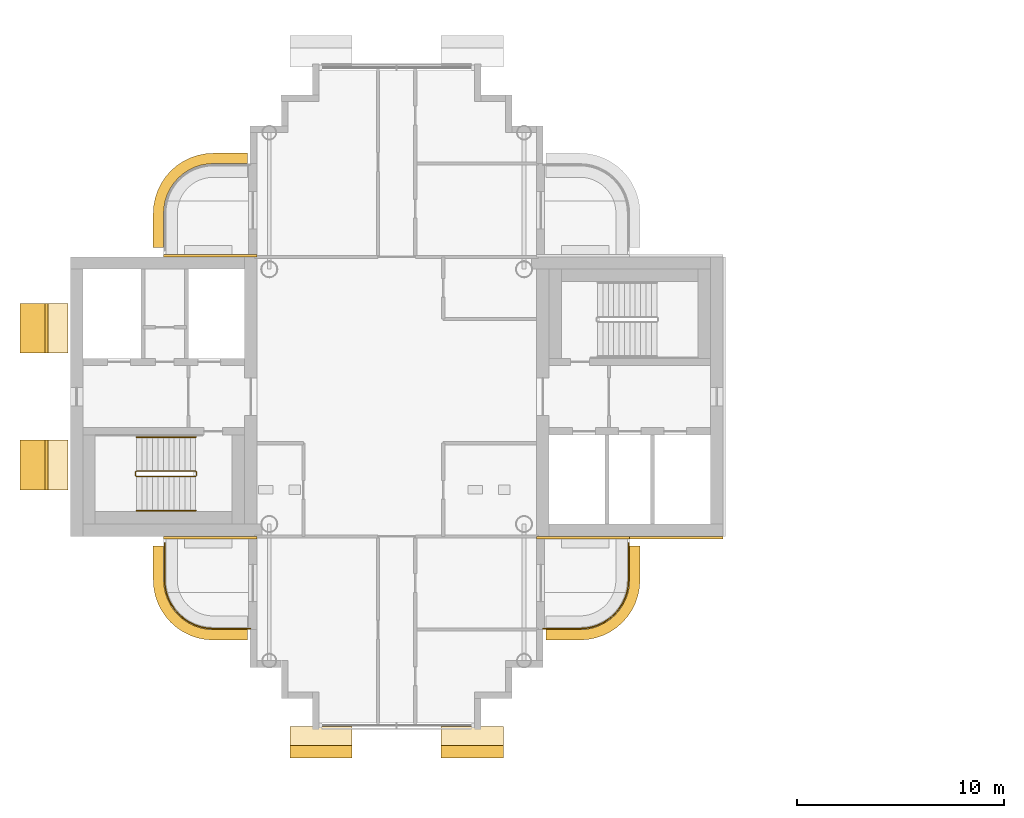
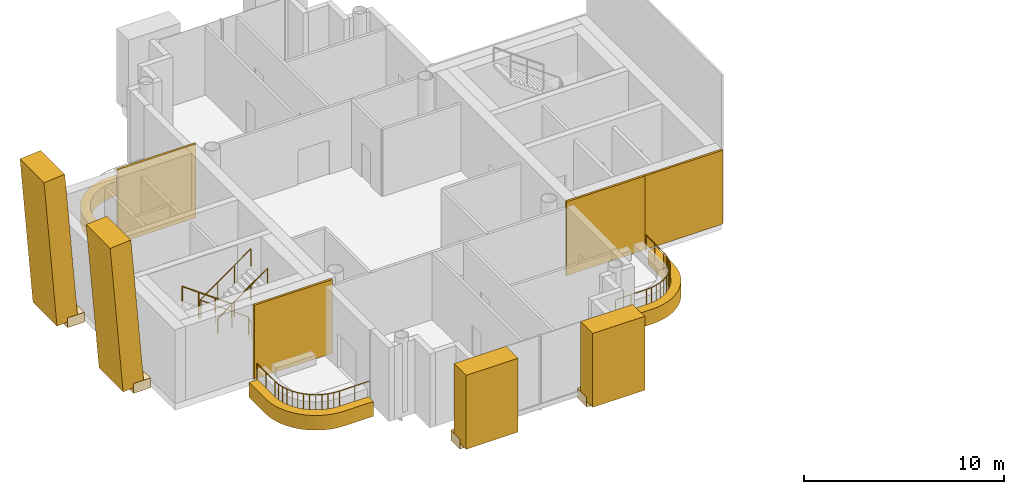
# One storey, part 16 of 20: 15 coverings, 5 railings.
"""IFC4 building model written with IfcOpenShell, lengths in metres."""

from ifc_helpers import new_model, si_unit, direction, frame, origin, origin_2d, place, context, subcontext, project, spatial, polyline, rectangle, circle, outline, extrude, material, layer, layer_set, material_profile, profile_set, type_object, element, save


model = new_model("IFC4")

# Units and contexts
model_context = context("Model", 3, precision=1e-05, world=origin(), true_north=direction((0.0, 1.0)))
body_context = subcontext(model_context, "Body", "Model", "MODEL_VIEW")
ifc_project = project(units=[si_unit("LENGTHUNIT", "METRE"), si_unit("AREAUNIT", "SQUARE_METRE"), si_unit("VOLUMEUNIT", "CUBIC_METRE"), si_unit("PLANEANGLEUNIT", "RADIAN"), si_unit("MASSUNIT", "GRAM", prefix="KILO")], contexts=[model_context])

# Site, building, storey
site_placement = place(None, origin())
site = spatial("IfcSite", under=ifc_project, at=site_placement, CompositionType="ELEMENT")
building_placement = place(site_placement, origin())
building = spatial("IfcBuilding", under=site, at=building_placement, Name="Ipe Terrace Towers", CompositionType="ELEMENT")
storey_placement = place(building_placement, frame((0.0, 0.0, 242.39990234375)))
storey = spatial("IfcBuildingStorey", under=building, at=storey_placement, Name="L67", CompositionType="ELEMENT", Elevation=242.39990234375)

# Railings
ifc_material_1 = material(Name="Stainless steel S316", Category="steel")
railing_type_1 = type_object("IfcRailingType", Name="GUARD 1100", PredefinedType="BALUSTRADE", material=ifc_material_1)
railing_1_placement = place(storey_placement, frame((-47.199951171875, -7.070068359375, -0.02001953125)))
element("IfcRailing", 1, at=railing_1_placement, inside=storey, type_object=railing_type_1, Name="guard", PredefinedType="BALUSTRADE", context=body_context, shape_type="SweptSolid", body=[
    extrude(circle(Radius=0.02392578125, at=origin_2d()), frame((0.0, 0.0, 1.076171875), z_axis=(0.0, -1.0, 0.0), x_axis=(1.0, 0.0, 0.0)), (0.0, 0.0, 1.0), 1.77783203125),
    extrude(circle(Radius=0.02392578125, at=origin_2d()), frame((0.0, -1.77783203125, 1.076171875), z_axis=(0.064635492184, -0.99790894031, 0.0), x_axis=(0.99790894031, 0.064635492184, 0.0)), (0.0, 0.0, 1.0), 0.309814453125),
    extrude(circle(Radius=0.02392578125, at=origin_2d()), frame((0.02001953125, -2.0869140625, 1.076171875), z_axis=(0.194892169718, -0.980824674538, 0.0), x_axis=(0.980824674538, 0.194892169718, 0.0)), (0.0, 0.0, 1.0), 0.306884765625),
    extrude(circle(Radius=0.02392578125, at=origin_2d()), frame((0.079833984375, -2.387939453125, 1.076171875), z_axis=(0.322415209212, -0.946598348228, 0.0), x_axis=(0.946598348228, 0.322415209212, 0.0)), (0.0, 0.0, 1.0), 0.307373046875),
    extrude(circle(Radius=0.02392578125, at=origin_2d()), frame((0.178955078125, -2.678955078125, 1.076171875), z_axis=(0.44212629539, -0.896952807524, 0.0), x_axis=(0.896952807524, 0.44212629539, 0.0)), (0.0, 0.0, 1.0), 0.3076171875),
    extrude(circle(Radius=0.02392578125, at=origin_2d()), frame((0.31494140625, -2.954833984375, 1.076171875), z_axis=(0.555066120228, -0.831806228742, 0.0), x_axis=(0.831806228742, 0.555066120228, 0.0)), (0.0, 0.0, 1.0), 0.307861328125),
    extrude(circle(Radius=0.02392578125, at=origin_2d()), frame((0.48583984375, -3.2109375, 1.076171875), z_axis=(0.658617227954, -0.752478137252, 0.0), x_axis=(0.752478137252, 0.658617227954, 0.0)), (0.0, 0.0, 1.0), 0.306884765625),
    extrude(circle(Radius=0.02392578125, at=origin_2d()), frame((0.68798828125, -3.44189453125, 1.076171875), z_axis=(0.752478137252, -0.658617227954, 0.0), x_axis=(0.658617227954, 0.752478137252, 0.0)), (0.0, 0.0, 1.0), 0.306884765625),
    extrude(circle(Radius=0.02392578125, at=origin_2d()), frame((0.9189453125, -3.64404296875, 1.076171875), z_axis=(0.831806228742, -0.555066120228, 0.0), x_axis=(0.555066120228, 0.831806228742, 0.0)), (0.0, 0.0, 1.0), 0.307861328125),
    extrude(circle(Radius=0.02392578125, at=origin_2d()), frame((1.175048828125, -3.81494140625, 1.076171875), z_axis=(0.896952807524, -0.44212629539, 0.0), x_axis=(0.44212629539, 0.896952807524, 0.0)), (0.0, 0.0, 1.0), 0.3076171875),
    extrude(circle(Radius=0.02392578125, at=origin_2d()), frame((1.450927734375, -3.950927734375, 1.076171875), z_axis=(0.946598348228, -0.322415209212, 0.0), x_axis=(0.322415209212, 0.946598348228, 0.0)), (0.0, 0.0, 1.0), 0.307373046875),
    extrude(circle(Radius=0.02392578125, at=origin_2d()), frame((1.741943359375, -4.050048828125, 1.076171875), z_axis=(0.980824674538, -0.194892169718, 0.0), x_axis=(0.194892169718, 0.980824674538, 0.0)), (0.0, 0.0, 1.0), 0.306884765625),
    extrude(circle(Radius=0.02392578125, at=origin_2d()), frame((2.04296875, -4.10986328125, 1.076171875), z_axis=(0.99790894031, -0.064635492184, 0.0), x_axis=(0.064635492184, 0.99790894031, 0.0)), (0.0, 0.0, 1.0), 0.309814453125),
    extrude(circle(Radius=0.02392578125, at=origin_2d()), frame((2.35205078125, -4.1298828125, 1.076171875), z_axis=(1.0, 0.0, 0.0), x_axis=(0.0, 1.0, 0.0)), (0.0, 0.0, 1.0), 1.77783203125),
    extrude(circle(Radius=0.02099609375, at=origin_2d()), origin(), (0.0, 0.0, 1.0), 1.052001953125),
    extrude(circle(Radius=0.02099609375, at=origin_2d()), frame((0.0, -0.888916015625, 0.0)), (0.0, 0.0, 1.0), 1.052001953125),
    extrude(circle(Radius=0.02099609375, at=origin_2d()), frame((0.0, -1.77783203125, 0.0)), (0.0, 0.0, 1.0), 1.052001953125),
    extrude(circle(Radius=0.02099609375, at=origin_2d()), frame((0.02001953125, -2.0869140625, 0.0)), (0.0, 0.0, 1.0), 1.052001953125),
    extrude(circle(Radius=0.02099609375, at=origin_2d()), frame((0.079833984375, -2.387939453125, 0.0)), (0.0, 0.0, 1.0), 1.052001953125),
    extrude(circle(Radius=0.02099609375, at=origin_2d()), frame((0.178955078125, -2.678955078125, 0.0)), (0.0, 0.0, 1.0), 1.052001953125),
    extrude(circle(Radius=0.02099609375, at=origin_2d()), frame((0.31494140625, -2.954833984375, 0.0)), (0.0, 0.0, 1.0), 1.052001953125),
    extrude(circle(Radius=0.02099609375, at=origin_2d()), frame((0.48583984375, -3.2109375, 0.0)), (0.0, 0.0, 1.0), 1.052001953125),
    extrude(circle(Radius=0.02099609375, at=origin_2d()), frame((0.68798828125, -3.44189453125, 0.0)), (0.0, 0.0, 1.0), 1.052001953125),
    extrude(circle(Radius=0.02099609375, at=origin_2d()), frame((0.9189453125, -3.64404296875, 0.0)), (0.0, 0.0, 1.0), 1.052001953125),
    extrude(circle(Radius=0.02099609375, at=origin_2d()), frame((1.175048828125, -3.81494140625, 0.0)), (0.0, 0.0, 1.0), 1.052001953125),
    extrude(circle(Radius=0.02099609375, at=origin_2d()), frame((1.450927734375, -3.950927734375, 0.0)), (0.0, 0.0, 1.0), 1.052001953125),
    extrude(circle(Radius=0.02099609375, at=origin_2d()), frame((1.741943359375, -4.050048828125, 0.0)), (0.0, 0.0, 1.0), 1.052001953125),
    extrude(circle(Radius=0.02099609375, at=origin_2d()), frame((2.04296875, -4.10986328125, 0.0)), (0.0, 0.0, 1.0), 1.052001953125),
    extrude(circle(Radius=0.02099609375, at=origin_2d()), frame((2.35205078125, -4.1298828125, 0.0)), (0.0, 0.0, 1.0), 1.052001953125),
    extrude(circle(Radius=0.02099609375, at=origin_2d()), frame((3.240966796875, -4.1298828125, 0.0)), (0.0, 0.0, 1.0), 1.052001953125),
    extrude(circle(Radius=0.02099609375, at=origin_2d()), frame((4.1298828125, -4.1298828125, 0.0)), (0.0, 0.0, 1.0), 1.052001953125),
])
railing_2_placement = place(storey_placement, frame((-28.929931640625, -11.199951171875, -0.02001953125)))
element("IfcRailing", 2, at=railing_2_placement, inside=storey, type_object=railing_type_1, Name="guard", PredefinedType="BALUSTRADE", context=body_context, shape_type="SweptSolid", body=[
    extrude(circle(Radius=0.02392578125, at=origin_2d()), frame((0.0, 0.0, 1.076171875), z_axis=(1.0, 0.0, 0.0), x_axis=(0.0, 1.0, 0.0)), (0.0, 0.0, 1.0), 1.77783203125),
    extrude(circle(Radius=0.02392578125, at=origin_2d()), frame((1.77783203125, 0.0, 1.076171875), z_axis=(0.99790894031, 0.064635492184, 0.0), x_axis=(-0.064635492184, 0.99790894031, 0.0)), (0.0, 0.0, 1.0), 0.309814453125),
    extrude(circle(Radius=0.02392578125, at=origin_2d()), frame((2.0869140625, 0.02001953125, 1.076171875), z_axis=(0.980824674538, 0.194892169718, 0.0), x_axis=(-0.194892169718, 0.980824674538, 0.0)), (0.0, 0.0, 1.0), 0.306884765625),
    extrude(circle(Radius=0.02392578125, at=origin_2d()), frame((2.387939453125, 0.079833984375, 1.076171875), z_axis=(0.946598348228, 0.322415209212, 0.0), x_axis=(-0.322415209212, 0.946598348228, 0.0)), (0.0, 0.0, 1.0), 0.307373046875),
    extrude(circle(Radius=0.02392578125, at=origin_2d()), frame((2.678955078125, 0.178955078125, 1.076171875), z_axis=(0.896952807524, 0.44212629539, 0.0), x_axis=(-0.44212629539, 0.896952807524, 0.0)), (0.0, 0.0, 1.0), 0.3076171875),
    extrude(circle(Radius=0.02392578125, at=origin_2d()), frame((2.954833984375, 0.31494140625, 1.076171875), z_axis=(0.831806228742, 0.555066120228, 0.0), x_axis=(-0.555066120228, 0.831806228742, 0.0)), (0.0, 0.0, 1.0), 0.307861328125),
    extrude(circle(Radius=0.02392578125, at=origin_2d()), frame((3.2109375, 0.48583984375, 1.076171875), z_axis=(0.752478137252, 0.658617227954, 0.0), x_axis=(-0.658617227954, 0.752478137252, 0.0)), (0.0, 0.0, 1.0), 0.306884765625),
    extrude(circle(Radius=0.02392578125, at=origin_2d()), frame((3.44189453125, 0.68798828125, 1.076171875), z_axis=(0.658617227954, 0.752478137252, 0.0), x_axis=(-0.752478137252, 0.658617227954, 0.0)), (0.0, 0.0, 1.0), 0.306884765625),
    extrude(circle(Radius=0.02392578125, at=origin_2d()), frame((3.64404296875, 0.9189453125, 1.076171875), z_axis=(0.555066120228, 0.831806228742, 0.0), x_axis=(-0.831806228742, 0.555066120228, 0.0)), (0.0, 0.0, 1.0), 0.307861328125),
    extrude(circle(Radius=0.02392578125, at=origin_2d()), frame((3.81494140625, 1.175048828125, 1.076171875), z_axis=(0.44212629539, 0.896952807524, 0.0), x_axis=(-0.896952807524, 0.44212629539, 0.0)), (0.0, 0.0, 1.0), 0.3076171875),
    extrude(circle(Radius=0.02392578125, at=origin_2d()), frame((3.950927734375, 1.450927734375, 1.076171875), z_axis=(0.322415209212, 0.946598348228, 0.0), x_axis=(-0.946598348228, 0.322415209212, 0.0)), (0.0, 0.0, 1.0), 0.307373046875),
    extrude(circle(Radius=0.02392578125, at=origin_2d()), frame((4.050048828125, 1.741943359375, 1.076171875), z_axis=(0.194892169718, 0.980824674538, 0.0), x_axis=(-0.980824674538, 0.194892169718, 0.0)), (0.0, 0.0, 1.0), 0.306884765625),
    extrude(circle(Radius=0.02392578125, at=origin_2d()), frame((4.10986328125, 2.04296875, 1.076171875), z_axis=(0.064635492184, 0.99790894031, 0.0), x_axis=(-0.99790894031, 0.064635492184, 0.0)), (0.0, 0.0, 1.0), 0.309814453125),
    extrude(circle(Radius=0.02392578125, at=origin_2d()), frame((4.1298828125, 2.35205078125, 1.076171875), z_axis=(0.0, 1.0, 0.0), x_axis=(-1.0, 0.0, 0.0)), (0.0, 0.0, 1.0), 1.77783203125),
    extrude(circle(Radius=0.02099609375, at=origin_2d()), origin(), (0.0, 0.0, 1.0), 1.052001953125),
    extrude(circle(Radius=0.02099609375, at=origin_2d()), frame((0.888916015625, 0.0, 0.0)), (0.0, 0.0, 1.0), 1.052001953125),
    extrude(circle(Radius=0.02099609375, at=origin_2d()), frame((1.77783203125, 0.0, 0.0)), (0.0, 0.0, 1.0), 1.052001953125),
    extrude(circle(Radius=0.02099609375, at=origin_2d()), frame((2.0869140625, 0.02001953125, 0.0)), (0.0, 0.0, 1.0), 1.052001953125),
    extrude(circle(Radius=0.02099609375, at=origin_2d()), frame((2.387939453125, 0.079833984375, 0.0)), (0.0, 0.0, 1.0), 1.052001953125),
    extrude(circle(Radius=0.02099609375, at=origin_2d()), frame((2.678955078125, 0.178955078125, 0.0)), (0.0, 0.0, 1.0), 1.052001953125),
    extrude(circle(Radius=0.02099609375, at=origin_2d()), frame((2.954833984375, 0.31494140625, 0.0)), (0.0, 0.0, 1.0), 1.052001953125),
    extrude(circle(Radius=0.02099609375, at=origin_2d()), frame((3.2109375, 0.48583984375, 0.0)), (0.0, 0.0, 1.0), 1.052001953125),
    extrude(circle(Radius=0.02099609375, at=origin_2d()), frame((3.44189453125, 0.68798828125, 0.0)), (0.0, 0.0, 1.0), 1.052001953125),
    extrude(circle(Radius=0.02099609375, at=origin_2d()), frame((3.64404296875, 0.9189453125, 0.0)), (0.0, 0.0, 1.0), 1.052001953125),
    extrude(circle(Radius=0.02099609375, at=origin_2d()), frame((3.81494140625, 1.175048828125, 0.0)), (0.0, 0.0, 1.0), 1.052001953125),
    extrude(circle(Radius=0.02099609375, at=origin_2d()), frame((3.950927734375, 1.450927734375, 0.0)), (0.0, 0.0, 1.0), 1.052001953125),
    extrude(circle(Radius=0.02099609375, at=origin_2d()), frame((4.050048828125, 1.741943359375, 0.0)), (0.0, 0.0, 1.0), 1.052001953125),
    extrude(circle(Radius=0.02099609375, at=origin_2d()), frame((4.10986328125, 2.04296875, 0.0)), (0.0, 0.0, 1.0), 1.052001953125),
    extrude(circle(Radius=0.02099609375, at=origin_2d()), frame((4.1298828125, 2.35205078125, 0.0)), (0.0, 0.0, 1.0), 1.052001953125),
    extrude(circle(Radius=0.02099609375, at=origin_2d()), frame((4.1298828125, 3.240966796875, 0.0)), (0.0, 0.0, 1.0), 1.052001953125),
    extrude(circle(Radius=0.02099609375, at=origin_2d()), frame((4.1298828125, 4.1298828125, 0.0)), (0.0, 0.0, 1.0), 1.052001953125),
])

# Coverings
ifc_material_2 = material(Name="Concrete C50/60 precast, buff finish", Category="concrete")
ifc_layer_1 = layer(ifc_material_2, 0.1201171875)
ifc_layer_set_1 = layer_set([ifc_layer_1], Name="STONE CORE CLADDING 120")
covering_type_1 = type_object("IfcCoveringType", Name="STONE CORE CLADDING 120", PredefinedType="CLADDING", material=ifc_layer_set_1)
for number, where, z_axis, x_axis, name in (
    (3, (-45.0, -6.81005859375, 0.0), (0.0, 0.0, 1.0), (1.0, 0.0, 0.0), "stone core cladding"),
    (4, (-45.0, 6.81005859375, 0.0), (0.0, 0.0, 1.0), (-1.0, 0.0, 0.0), "stone core cladding"),
    (5, (-27.0, -6.81005859375, 0.0), (0.0, 0.0, 1.0), (1.0, 0.0, 0.0), "stone core cladding"),
    (6, (-22.5, -6.81005859375, 0.0), (0.0, 0.0, 1.0), (1.0, 0.0, 0.0), "stone core cladding"),
):
    element("IfcCovering", number, at=place(storey_placement, frame(where, z_axis=z_axis, x_axis=x_axis)), inside=storey, type_object=covering_type_1, Name=name, PredefinedType="CLADDING", context=body_context, shape_type="SweptSolid", body=[
        extrude(rectangle(XDim=4.5, YDim=0.1201171875, at=origin_2d()), origin(), (0.0, 0.0, 1.0), 4.5),
    ])
ifc_material_3 = material(Name="Concrete C50/60 precast, buff finish", Category="concrete")
ifc_layer_2 = layer(ifc_material_3, 0.5)
ifc_layer_set_2 = layer_set([ifc_layer_2], Name="STONE EDGE BAND 500 x 900")
covering_type_2 = type_object("IfcCoveringType", Name="STONE EDGE BAND 500 x 900", PredefinedType="CLADDING", material=ifc_layer_set_2)
covering_1_placement = place(storey_placement, frame((0.0, 0.0, -0.719970703125)))
element("IfcCovering", 7, at=covering_1_placement, inside=storey, type_object=covering_type_2, Name="stone edge band", PredefinedType="CLADDING", context=body_context, shape_type="SweptSolid", body=[
    extrude(outline(polyline([(-44.85009765625, -11.75), (-43.199951171875, -11.75), (-43.199951171875, -11.25), (-44.85009765625, -11.25), (-45.1630859375, -11.22900390625), (-45.470947265625, -11.16796875), (-45.76806640625, -11.06689453125), (-46.050048828125, -10.927978515625), (-46.31103515625, -10.75390625), (-46.547119140625, -10.547119140625), (-46.75390625, -10.31103515625), (-46.927978515625, -10.050048828125), (-47.06689453125, -9.76806640625), (-47.16796875, -9.470947265625), (-47.22900390625, -9.1630859375), (-47.25, -8.85009765625), (-47.25, -7.199951171875), (-47.75, -7.199951171875), (-47.75, -8.85009765625), (-47.7490234375, -8.883056640625), (-47.72802734375, -9.196044921875), (-47.719970703125, -9.260986328125), (-47.658935546875, -9.569091796875), (-47.64208984375, -9.632080078125), (-47.541015625, -9.928955078125), (-47.51611328125, -9.989990234375), (-47.376953125, -10.27099609375), (-47.343994140625, -10.327880859375), (-47.169921875, -10.589111328125), (-47.1298828125, -10.64111328125), (-46.923095703125, -10.876953125), (-46.876953125, -10.923095703125), (-46.64111328125, -11.1298828125), (-46.589111328125, -11.169921875), (-46.327880859375, -11.343994140625), (-46.27099609375, -11.376953125), (-45.989990234375, -11.51611328125), (-45.928955078125, -11.541015625), (-45.632080078125, -11.64208984375), (-45.569091796875, -11.658935546875), (-45.260986328125, -11.719970703125), (-45.196044921875, -11.72802734375), (-44.883056640625, -11.7490234375), (-44.85009765625, -11.75)])), origin(), (0.0, 0.0, 1.0), 0.900146484375),
])
covering_2_placement = place(storey_placement, frame((0.0, 0.0, -0.719970703125)))
element("IfcCovering", 8, at=covering_2_placement, inside=storey, type_object=covering_type_2, Name="stone edge band", PredefinedType="CLADDING", context=body_context, shape_type="SweptSolid", body=[
    extrude(outline(polyline([(-44.85009765625, 11.75), (-44.883056640625, 11.7490234375), (-45.196044921875, 11.72802734375), (-45.260986328125, 11.719970703125), (-45.569091796875, 11.658935546875), (-45.632080078125, 11.64208984375), (-45.928955078125, 11.541015625), (-45.989990234375, 11.51611328125), (-46.27099609375, 11.376953125), (-46.327880859375, 11.343994140625), (-46.589111328125, 11.169921875), (-46.64111328125, 11.1298828125), (-46.876953125, 10.923095703125), (-46.923095703125, 10.876953125), (-47.1298828125, 10.64111328125), (-47.169921875, 10.589111328125), (-47.343994140625, 10.327880859375), (-47.376953125, 10.27099609375), (-47.51611328125, 9.989990234375), (-47.541015625, 9.928955078125), (-47.64208984375, 9.632080078125), (-47.658935546875, 9.569091796875), (-47.719970703125, 9.260986328125), (-47.72802734375, 9.196044921875), (-47.7490234375, 8.883056640625), (-47.75, 8.85009765625), (-47.75, 7.199951171875), (-47.25, 7.199951171875), (-47.25, 8.85009765625), (-47.22900390625, 9.1630859375), (-47.16796875, 9.470947265625), (-47.06689453125, 9.76806640625), (-46.927978515625, 10.050048828125), (-46.75390625, 10.31103515625), (-46.547119140625, 10.547119140625), (-46.31103515625, 10.75390625), (-46.050048828125, 10.927978515625), (-45.76806640625, 11.06689453125), (-45.470947265625, 11.16796875), (-45.1630859375, 11.22900390625), (-44.85009765625, 11.25), (-43.199951171875, 11.25), (-43.199951171875, 11.75), (-44.85009765625, 11.75)])), origin(), (0.0, 0.0, 1.0), 0.900146484375),
])
covering_3_placement = place(storey_placement, frame((0.0, 0.0, -0.719970703125)))
element("IfcCovering", 9, at=covering_3_placement, inside=storey, type_object=covering_type_2, Name="stone edge band", PredefinedType="CLADDING", context=body_context, shape_type="SweptSolid", body=[
    extrude(outline(polyline([(-27.14990234375, -11.75), (-27.116943359375, -11.7490234375), (-26.803955078125, -11.72802734375), (-26.739013671875, -11.719970703125), (-26.430908203125, -11.658935546875), (-26.367919921875, -11.64208984375), (-26.071044921875, -11.541015625), (-26.010009765625, -11.51611328125), (-25.72900390625, -11.376953125), (-25.672119140625, -11.343994140625), (-25.410888671875, -11.169921875), (-25.35888671875, -11.1298828125), (-25.123046875, -10.923095703125), (-25.076904296875, -10.876953125), (-24.8701171875, -10.64111328125), (-24.830078125, -10.589111328125), (-24.656005859375, -10.327880859375), (-24.623046875, -10.27099609375), (-24.48388671875, -9.989990234375), (-24.458984375, -9.928955078125), (-24.35791015625, -9.632080078125), (-24.341064453125, -9.569091796875), (-24.280029296875, -9.260986328125), (-24.27197265625, -9.196044921875), (-24.2509765625, -8.883056640625), (-24.25, -8.85009765625), (-24.25, -7.199951171875), (-24.75, -7.199951171875), (-24.75, -8.85009765625), (-24.77099609375, -9.1630859375), (-24.83203125, -9.470947265625), (-24.93310546875, -9.76806640625), (-25.072021484375, -10.050048828125), (-25.24609375, -10.31103515625), (-25.452880859375, -10.547119140625), (-25.68896484375, -10.75390625), (-25.949951171875, -10.927978515625), (-26.23193359375, -11.06689453125), (-26.529052734375, -11.16796875), (-26.8369140625, -11.22900390625), (-27.14990234375, -11.25), (-28.800048828125, -11.25), (-28.800048828125, -11.75), (-27.14990234375, -11.75)])), origin(), (0.0, 0.0, 1.0), 0.900146484375),
])
ifc_material_4 = material(Name="Concrete C50/60 precast, buff finish", Category="concrete")
ifc_material_profile_1 = material_profile(ifc_material_4, rectangle(XDim=2.39990234375, YDim=1.199951171875, at=origin_2d()), Name="STONE FIN 2400 x 1200")
ifc_profile_set_1 = profile_set([ifc_material_profile_1], Name="Concrete C50/60 precast, buff finish")
covering_type_3 = type_object("IfcCoveringType", Name="STONE FIN 2400 x 1200", PredefinedType="USERDEFINED", material=ifc_profile_set_1)
for number, where, z_axis, x_axis, name in (
    (10, (-52.839111328125, -3.300048828125, 0.0), (-0.082589061589, 0.0, 0.996583687859), (0.0, -1.0, 0.0), "stone fin"),
    (11, (-52.839111328125, 3.300048828125, 0.0), (-0.082589061589, 0.0, 0.996583687859), (0.0, -1.0, 0.0), "stone fin"),
):
    element("IfcCovering", number, at=place(storey_placement, frame(where, z_axis=z_axis, x_axis=x_axis)), inside=storey, type_object=covering_type_3, Name=name, ObjectType="FIN", PredefinedType="USERDEFINED", context=body_context, shape_type="SweptSolid", body=[
        extrude(rectangle(XDim=2.39990234375, YDim=1.199951171875, at=origin_2d()), origin(), (0.0, 0.0, 1.0), 9.03076171875),
    ])
ifc_material_5 = material(Name="Concrete C50/60 precast, buff finish", Category="concrete")
ifc_material_profile_2 = material_profile(ifc_material_5, rectangle(XDim=3.0, YDim=1.199951171875, at=origin_2d()), Name="STONE FIN CORNER 3000 x 1200")
ifc_profile_set_2 = profile_set([ifc_material_profile_2], Name="Concrete C50/60 precast, buff finish")
covering_type_4 = type_object("IfcCoveringType", Name="STONE FIN CORNER 3000 x 1200", PredefinedType="USERDEFINED", material=ifc_profile_set_2)
for number, where, z_axis, x_axis, name in (
    (12, (-32.35009765625, -16.839111328125, 0.0), (0.0, 0.0, 1.0), (1.0, 0.0, 0.0), "stone fin"),
    (13, (-39.64990234375, -16.839111328125, 0.0), (0.0, 0.0, 1.0), (1.0, 0.0, 0.0), "stone fin"),
):
    element("IfcCovering", number, at=place(storey_placement, frame(where, z_axis=z_axis, x_axis=x_axis)), inside=storey, type_object=covering_type_4, Name=name, ObjectType="FIN", PredefinedType="USERDEFINED", context=body_context, shape_type="SweptSolid", body=[
        extrude(rectangle(XDim=3.0, YDim=1.199951171875, at=origin_2d()), origin(), (0.0, 0.0, 1.0), 4.5),
    ])
ifc_material_6 = material(Name="Concrete C50/60 precast, buff finish", Category="concrete")
covering_type_5 = type_object("IfcCoveringType", Name="STONE FIN SHELF 2400 x 600", PredefinedType="CLADDING", material=ifc_material_6)
for number, where, z_axis, x_axis, name in (
    (14, (-52.34912109375, -3.300048828125, -0.349853515625), (0.0, 0.0, 1.0), (0.0, -1.0, 0.0), "stone fin shelf"),
    (15, (-52.34912109375, 3.300048828125, -0.349853515625), (0.0, 0.0, 1.0), (0.0, -1.0, 0.0), "stone fin shelf"),
):
    element("IfcCovering", number, at=place(storey_placement, frame(where, z_axis=z_axis, x_axis=x_axis)), inside=storey, type_object=covering_type_5, Name=name, PredefinedType="CLADDING", context=body_context, shape_type="SweptSolid", body=[
        extrude(rectangle(XDim=2.39990234375, YDim=0.97900390625, at=origin_2d()), origin(), (0.0, 0.0, 1.0), 0.60009765625),
    ])
ifc_material_7 = material(Name="Concrete C50/60 precast, buff finish", Category="concrete")
covering_type_6 = type_object("IfcCoveringType", Name="STONE FIN SHELF 3000 x 600", PredefinedType="CLADDING", material=ifc_material_7)
for number, where, z_axis, x_axis, name in (
    (16, (-32.35009765625, -16.376953125, -0.349853515625), (0.0, 0.0, 1.0), (1.0, 0.0, 0.0), "stone fin shelf"),
    (17, (-39.64990234375, -16.376953125, -0.349853515625), (0.0, 0.0, 1.0), (1.0, 0.0, 0.0), "stone fin shelf"),
):
    element("IfcCovering", number, at=place(storey_placement, frame(where, z_axis=z_axis, x_axis=x_axis)), inside=storey, type_object=covering_type_6, Name=name, PredefinedType="CLADDING", context=body_context, shape_type="SweptSolid", body=[
        extrude(rectangle(XDim=3.0, YDim=0.923095703125, at=origin_2d()), origin(), (0.0, 0.0, 1.0), 0.60009765625),
    ])

# Railings
ifc_material_8 = material(Name="Steel S355", Category="steel")
railing_type_2 = type_object("IfcRailingType", Name="Stair guard 1100", PredefinedType="GUARDRAIL", material=ifc_material_8)
railing_3_placement = place(storey_placement, frame((-45.64990234375, -3.800048828125, 0.0)))
element("IfcRailing", 18, at=railing_3_placement, inside=storey, type_object=railing_type_2, Name="L67 T1-ST2 stair guard 1", PredefinedType="GUARDRAIL", context=body_context, shape_type="SweptSolid", body=[
    extrude(circle(Radius=0.02392578125, at=origin_2d()), frame((0.0, 0.0, 1.076171875), z_axis=(0.0, 1.0, 0.0), x_axis=(-1.0, 0.0, 0.0)), (0.0, 0.0, 1.0), 0.150146484375),
    extrude(circle(Radius=0.02392578125, at=origin_2d()), frame((0.0, 0.150146484375, 1.076171875), z_axis=(-0.249802250048, 0.248583702486, 0.935844527007), x_axis=(-0.705375805398, -0.708833529934, 0.0)), (0.0, 0.0, 1.0), 0.200439453125),
    extrude(circle(Radius=0.02392578125, at=origin_2d()), frame((-0.050048828125, 0.199951171875, 1.263671875), z_axis=(-0.811100754333, 0.0, 0.584906459462), x_axis=(0.0, -1.0, 0.0)), (0.0, 0.0, 1.0), 3.526123046875),
    extrude(circle(Radius=0.02392578125, at=origin_2d()), frame((-2.91015625, 0.199951171875, 3.326171875), z_axis=(-0.708833529934, -0.705375805398, 0.0), x_axis=(0.705375805398, -0.708833529934, 0.0)), (0.0, 0.0, 1.0), 0.070556640625),
    extrude(circle(Radius=0.02392578125, at=origin_2d()), frame((-2.960205078125, 0.150146484375, 3.326171875), z_axis=(0.0, -1.0, 0.0), x_axis=(1.0, 0.0, 0.0)), (0.0, 0.0, 1.0), 0.150146484375),
    extrude(circle(Radius=0.02392578125, at=origin_2d()), frame((-2.960205078125, 0.0, 3.326171875), z_axis=(0.249726431254, -0.249726431254, 0.935560483917), x_axis=(0.707106781187, 0.707106781187, 0.0)), (0.0, 0.0, 1.0), 0.200439453125),
    extrude(circle(Radius=0.02392578125, at=origin_2d()), frame((-2.91015625, -0.050048828125, 3.513671875), z_axis=(0.811100754333, 0.0, 0.584906459462), x_axis=(0.0, 1.0, 0.0)), (0.0, 0.0, 1.0), 3.526123046875),
    extrude(circle(Radius=0.02099609375, at=origin_2d()), origin(), (0.0, 0.0, 1.0), 1.052001953125),
    extrude(circle(Radius=0.02099609375, at=origin_2d()), frame((0.0, 0.150146484375, 0.0)), (0.0, 0.0, 1.0), 1.052001953125),
    extrude(circle(Radius=0.02099609375, at=origin_2d()), frame((-0.050048828125, 0.199951171875, 0.1875)), (0.0, 0.0, 1.0), 1.052001953125),
    extrude(circle(Radius=0.02099609375, at=origin_2d()), frame((-1.00341796875, 0.199951171875, 0.875)), (0.0, 0.0, 1.0), 1.052001953125),
    extrude(circle(Radius=0.02099609375, at=origin_2d()), frame((-1.956787109375, 0.199951171875, 1.5625)), (0.0, 0.0, 1.0), 1.052001953125),
    extrude(circle(Radius=0.02099609375, at=origin_2d()), frame((-2.91015625, 0.199951171875, 2.25)), (0.0, 0.0, 1.0), 1.052001953125),
    extrude(circle(Radius=0.02099609375, at=origin_2d()), frame((-2.960205078125, 0.150146484375, 2.25)), (0.0, 0.0, 1.0), 1.052001953125),
    extrude(circle(Radius=0.02099609375, at=origin_2d()), frame((-2.960205078125, 0.0, 2.25)), (0.0, 0.0, 1.0), 1.052001953125),
    extrude(circle(Radius=0.02099609375, at=origin_2d()), frame((-2.91015625, -0.050048828125, 2.4375)), (0.0, 0.0, 1.0), 1.052001953125),
    extrude(circle(Radius=0.02099609375, at=origin_2d()), frame((-1.956787109375, -0.050048828125, 3.125)), (0.0, 0.0, 1.0), 1.052001953125),
    extrude(circle(Radius=0.02099609375, at=origin_2d()), frame((-1.00341796875, -0.050048828125, 3.8125)), (0.0, 0.0, 1.0), 1.052001953125),
    extrude(circle(Radius=0.02099609375, at=origin_2d()), frame((-0.050048828125, -0.050048828125, 4.5)), (0.0, 0.0, 1.0), 1.052001953125),
])
ifc_material_9 = material(Name="Stainless steel grade 304", Category="steel")
railing_type_3 = type_object("IfcRailingType", Name="Stair handrail 900", PredefinedType="HANDRAIL", material=ifc_material_9)
railing_4_placement = place(storey_placement, frame((-45.699951171875, -1.949951171875, 0.1875)))
element("IfcRailing", 19, at=railing_4_placement, inside=storey, type_object=railing_type_3, Name="L67 T1-ST2 stair handrail 1", PredefinedType="HANDRAIL", context=body_context, shape_type="SweptSolid", body=[
    extrude(circle(Radius=0.02392578125, at=origin_2d()), frame((0.0, 0.0, 0.8759765625), z_axis=(-0.811100754333, 0.0, 0.584906459462), x_axis=(0.0, -1.0, 0.0)), (0.0, 0.0, 1.0), 3.526123046875),
    extrude(circle(Radius=0.02099609375, at=origin_2d()), origin(), (0.0, 0.0, 1.0), 0.851806640625),
    extrude(circle(Radius=0.02099609375, at=origin_2d()), frame((-0.953369140625, 0.0, 0.6875)), (0.0, 0.0, 1.0), 0.851806640625),
    extrude(circle(Radius=0.02099609375, at=origin_2d()), frame((-1.90673828125, 0.0, 1.375)), (0.0, 0.0, 1.0), 0.851806640625),
    extrude(circle(Radius=0.02099609375, at=origin_2d()), frame((-2.860107421875, 0.0, 2.0625)), (0.0, 0.0, 1.0), 0.851806640625),
])
railing_5_placement = place(storey_placement, frame((-48.56005859375, -5.5, 2.4375)))
element("IfcRailing", 20, at=railing_5_placement, inside=storey, type_object=railing_type_3, Name="L67 T1-ST2 stair handrail 2", PredefinedType="HANDRAIL", context=body_context, shape_type="SweptSolid", body=[
    extrude(circle(Radius=0.02392578125, at=origin_2d()), frame((0.0, 0.0, 0.8759765625), z_axis=(0.811100754333, 0.0, 0.584906459462), x_axis=(0.0, 1.0, 0.0)), (0.0, 0.0, 1.0), 3.526123046875),
    extrude(circle(Radius=0.02099609375, at=origin_2d()), origin(), (0.0, 0.0, 1.0), 0.851806640625),
    extrude(circle(Radius=0.02099609375, at=origin_2d()), frame((0.953369140625, 0.0, 0.6875)), (0.0, 0.0, 1.0), 0.851806640625),
    extrude(circle(Radius=0.02099609375, at=origin_2d()), frame((1.90673828125, 0.0, 1.375)), (0.0, 0.0, 1.0), 0.851806640625),
    extrude(circle(Radius=0.02099609375, at=origin_2d()), frame((2.860107421875, 0.0, 2.0625)), (0.0, 0.0, 1.0), 0.851806640625),
])

save(model, "model.ifc")
